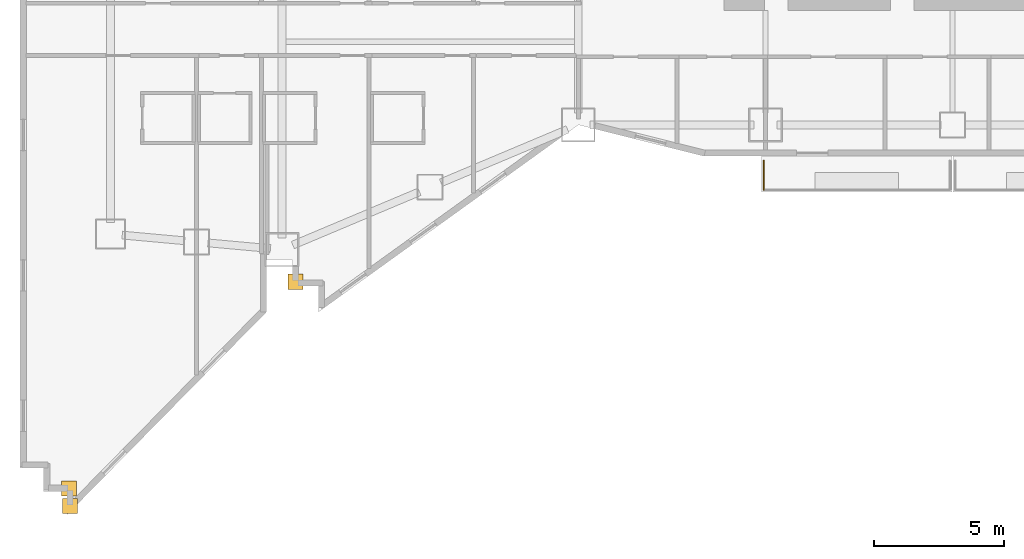
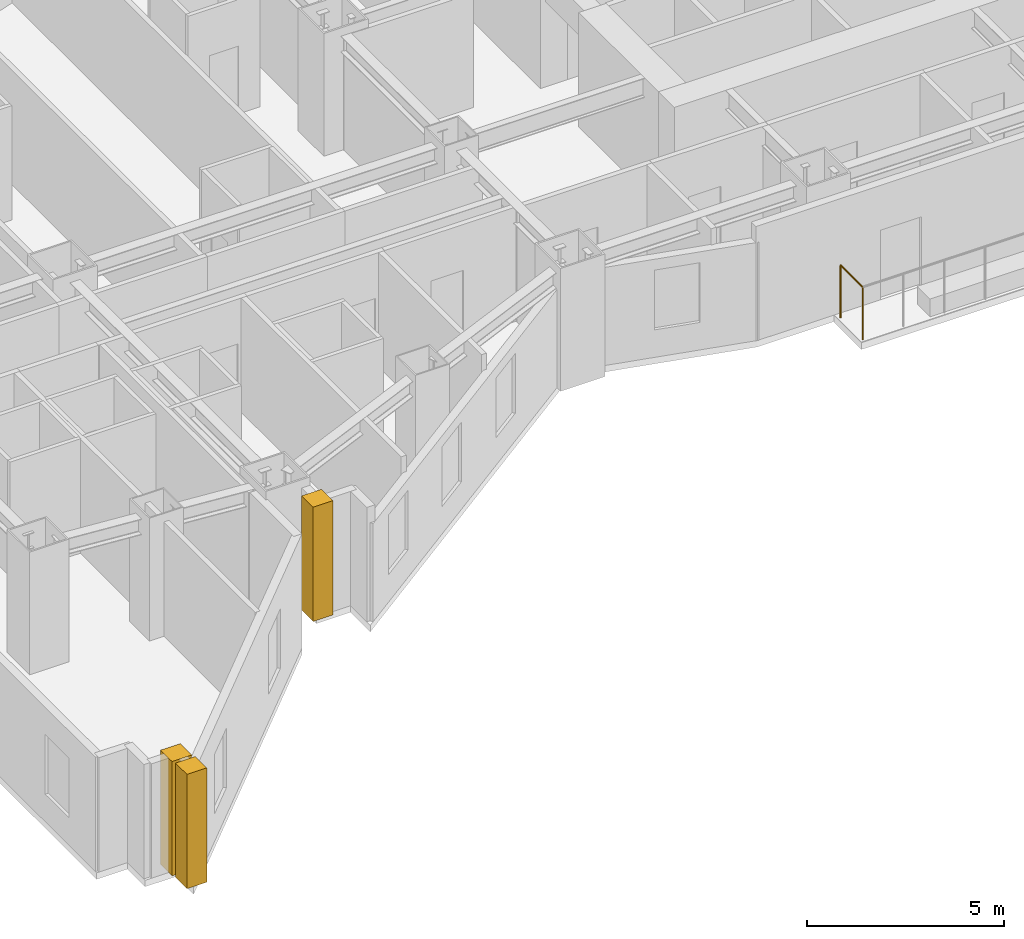
# One storey, part 15 of 19: 3 coverings, 1 railing.
"""IFC4 building model written with IfcOpenShell, lengths in metres."""

from ifc_helpers import new_model, si_unit, direction, frame, origin, origin_2d, place, context, subcontext, project, spatial, rectangle, circle, extrude, material, layer, layer_set, type_object, element, save


model = new_model("IFC4")

# Units and contexts
model_context = context("Model", 3, precision=1e-05, world=origin(), true_north=direction((0.0, 1.0)))
body_context = subcontext(model_context, "Body", "Model", "MODEL_VIEW")
ifc_project = project(units=[si_unit("LENGTHUNIT", "METRE"), si_unit("AREAUNIT", "SQUARE_METRE"), si_unit("VOLUMEUNIT", "CUBIC_METRE"), si_unit("PLANEANGLEUNIT", "RADIAN"), si_unit("MASSUNIT", "GRAM", prefix="KILO")], contexts=[model_context])

# Site, building, storey
site_placement = place(None, origin())
site = spatial("IfcSite", under=ifc_project, at=site_placement, CompositionType="ELEMENT")
building_placement = place(site_placement, origin())
building = spatial("IfcBuilding", under=site, at=building_placement, Name="Haolan Belvedere Tower", CompositionType="ELEMENT")
storey_placement = place(building_placement, frame((0.0, 0.0, 39.199951171875)))
storey = spatial("IfcBuildingStorey", under=building, at=storey_placement, Name="L09", CompositionType="ELEMENT", Elevation=39.199951171875)

# Coverings
ifc_material_1 = material(Name="Pale champagne-silver anodised aluminium rainscreen cladding", Category="aluminium")
ifc_layer = layer(ifc_material_1, 0.034912109375, Name="Pale champagne-silver anodised aluminium rainscreen cladding")
ifc_layer_set = layer_set([ifc_layer], Name="Pale champagne-silver anodised aluminium rainscreen cladding")
covering_type = type_object("IfcCoveringType", Name="COV-CLAD-35", PredefinedType="CLADDING", material=ifc_layer_set)
for number, where, z_axis, x_axis, name in (
    (1, (4.3974609375, 7.614013671875, 0.0), (0.0, 0.0, 1.0), (1.0, 0.0, 0.0), "L09 pale-metal serrated corner cladding trim 1"),
    (2, (4.43994140625, 6.9296875, 0.0), (0.0, 0.0, 1.0), (1.0, 0.0, 0.0), "L09 pale-metal serrated corner cladding trim 2"),
    (3, (13.1201171875, 15.5625, 0.0), (0.0, 0.0, 1.0), (1.0, 0.0, 0.0), "L09 pale-metal serrated corner cladding trim 3"),
):
    element("IfcCovering", number, at=place(storey_placement, frame(where, z_axis=z_axis, x_axis=x_axis)), inside=storey, type_object=covering_type, Name=name, PredefinedType="CLADDING", context=body_context, shape_type="SweptSolid", body=[
        extrude(rectangle(XDim=0.580078125, YDim=0.580078125, at=origin_2d()), origin(), (0.0, 0.0, 1.0), 3.5400390625),
    ])

# Railing
ifc_material_2 = material(Name="Anodised aluminium and laminated glass balustrade", Category="aluminium")
railing_type = type_object("IfcRailingType", Name="RL-TER-BAL-1150", PredefinedType="BALUSTRADE", material=ifc_material_2)
railing_placement = place(storey_placement, frame((31.1298828125, 19.10009765625, 0.0)))
element("IfcRailing", 4, at=railing_placement, inside=storey, type_object=railing_type, Name="L09 outdoor perimeter balustrade BAL-L09-1-1", PredefinedType="BALUSTRADE", context=body_context, shape_type="SweptSolid", body=[
    extrude(circle(Radius=0.02392578125, at=origin_2d()), frame((0.0, 0.0, 1.6259765625), z_axis=(0.0, 1.0, 0.0), x_axis=(-1.0, 0.0, 0.0)), (0.0, 0.0, 1.0), 1.119873046875),
    extrude(circle(Radius=0.02099609375, at=origin_2d()), origin(), (0.0, 0.0, 1.0), 1.601806640625),
    extrude(circle(Radius=0.02099609375, at=origin_2d()), frame((0.0, 1.119873046875, 0.0)), (0.0, 0.0, 1.0), 1.601806640625),
])

save(model, "model.ifc")
